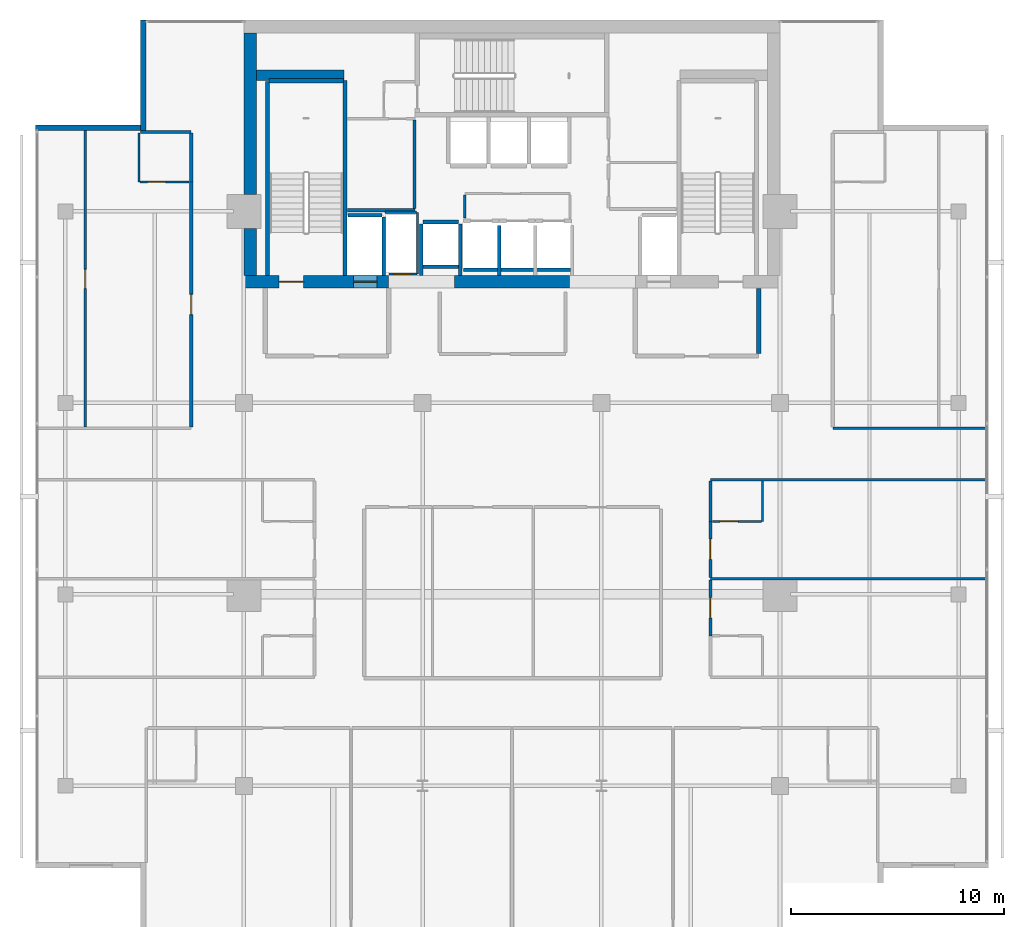
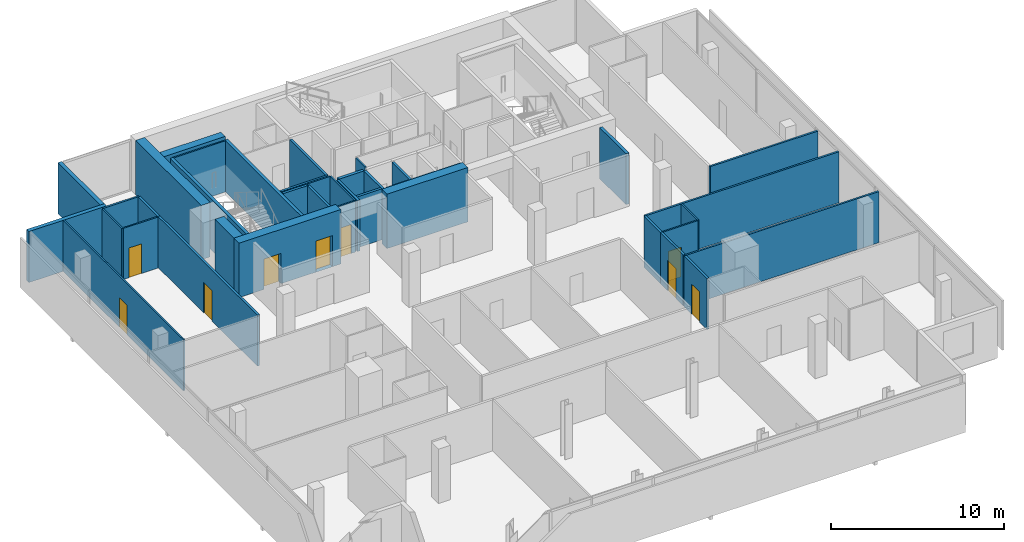
# One storey, part 21 of 25: 39 walls, 9 doors, 9 openings.
"""IFC4 building model written with IfcOpenShell, lengths in metres."""

from ifc_helpers import new_model, si_unit, direction, frame, frame_2d, origin, place, context, subcontext, project, spatial, rectangle, extrude, material, layer, layer_set, type_object, element, fill, save


model = new_model("IFC4")

# Units and contexts
model_context = context("Model", 3, precision=1e-05, world=origin(), true_north=direction((0.0, 1.0)))
body_context = subcontext(model_context, "Body", "Model", "MODEL_VIEW")
ifc_project = project(units=[si_unit("LENGTHUNIT", "METRE"), si_unit("AREAUNIT", "SQUARE_METRE"), si_unit("VOLUMEUNIT", "CUBIC_METRE"), si_unit("PLANEANGLEUNIT", "RADIAN"), si_unit("MASSUNIT", "GRAM", prefix="KILO")], contexts=[model_context])

# Site, building, storey
site_placement = place(None, origin())
site = spatial("IfcSite", under=ifc_project, at=site_placement, CompositionType="ELEMENT")
building_placement = place(site_placement, origin())
building = spatial("IfcBuilding", under=site, at=building_placement, Name="Maruvema Waterfront Hotel and Observation Tower", CompositionType="ELEMENT")
storey_placement = place(building_placement, frame((0.0, 0.0, 281.75)))
storey = spatial("IfcBuildingStorey", under=building, at=storey_placement, Name="L69", CompositionType="ELEMENT", Elevation=281.75)

# Walls
ifc_material_1 = material(Name="Twin-stud acoustic gypsum drywall", Category="gypsum")
ifc_layer_1 = layer(ifc_material_1, 0.14990234375, Name="Acoustic Corridor and Suite Demising Wall 150 mm")
ifc_layer_set_1 = layer_set([ifc_layer_1], Name="Twin-stud acoustic gypsum drywall")
wall_type_1 = type_object("IfcWallType", Name="Acoustic Corridor and Suite Demising Wall 150 mm", PredefinedType="PARTITIONING", material=ifc_layer_set_1)
wall_1_placement = place(storey_placement, frame((30.06005859375, 45.06005859375, 0.0), z_axis=(0.0, 0.0, 1.0), x_axis=(1.0, 0.0, 0.0)))
element("IfcWall", 1, at=wall_1_placement, inside=storey, type_object=wall_type_1, Name="L69 Freed B1 South Wall 013", PredefinedType="PARTITIONING", context=body_context, shape_type="SweptSolid", body=[
    extrude(rectangle(XDim=3.179931640625, YDim=0.14990234375, at=frame_2d((1.58984375, 0.0))), origin(), (0.0, 0.0, 1.0), 3.610107421875),
])
wall_2_placement = place(storey_placement, frame((33.219970703125, 45.139892578125, 0.0), z_axis=(0.0, 0.0, 1.0), x_axis=(0.0, 1.0, 0.0)))
element("IfcWall", 2, at=wall_2_placement, inside=storey, type_object=wall_type_1, Name="L69 Freed B1 East Wall 014", PredefinedType="PARTITIONING", context=body_context, shape_type="SweptSolid", body=[
    extrude(rectangle(XDim=4.16015625, YDim=0.14990234375, at=frame_2d((2.080078125, 0.0))), origin(), (0.0, 0.0, 1.0), 3.610107421875),
])

# Wall, opening, door
wall_3_placement = place(storey_placement, frame((47.1298828125, 25.050048828125, 0.0), z_axis=(0.0, 0.0, 1.0), x_axis=(0.0, 1.0, 0.0)))
wall_3 = element("IfcWall", 3, at=wall_3_placement, inside=storey, type_object=wall_type_1, Name="L69 Room L69-E1 Corridor Wall 057", PredefinedType="PARTITIONING", context=body_context, shape_type="SweptSolid", body=[
    extrude(rectangle(XDim=2.6298828125, YDim=0.14990234375, at=frame_2d((1.31494140625, 0.0))), origin(), (0.0, 0.0, 1.0), 3.610107421875),
])
opening_1_placement = place(wall_3_placement, frame((0.840087890625, 0.0, 0.0)))
opening_1 = element("IfcOpeningElement", 4, at=opening_1_placement, cuts=wall_3, Name="Opening DR-095", PredefinedType="OPENING", context=body_context, shape_type="SweptSolid", body=[
    extrude(rectangle(XDim=0.949951171875, YDim=2.14990234375, at=frame_2d((0.47509765625, 1.074951171875))), frame((0.0, 0.0849609375, 0.0), z_axis=(0.0, -1.0, 0.0), x_axis=(1.0, 0.0, 0.0)), (0.0, 0.0, 1.0), 0.169921875),
])
ifc_material_2 = material(Name="Acoustic solid-core hardwood timber leaf", Category="wood")
door_type_1 = type_object("IfcDoorType", Name="Guestroom Entrance Fire Door 950x2150 mm", OperationType="NOTDEFINED", PredefinedType="DOOR", material=ifc_material_2)
door_1_placement = place(opening_1_placement, frame((0.949951171875, 0.0, 0.0), z_axis=(0.0, 0.0, 1.0), x_axis=(-1.0, 0.0, 0.0)))
door_1 = element("IfcDoor", 5, at=door_1_placement, inside=storey, type_object=door_type_1, Name="L69 Room L69-E1 Entrance Door", OperationType="SINGLE_SWING_LEFT", OverallHeight=2.14990234375, OverallWidth=0.949951171875, PredefinedType="DOOR", context=body_context, shape_type="SweptSolid", body=[
    extrude(rectangle(XDim=0.949951171875, YDim=2.14990234375, at=frame_2d((0.47509765625, 1.074951171875))), frame((0.0, 0.02490234375, 0.0), z_axis=(0.0, -1.0, 0.0), x_axis=(1.0, 0.0, 0.0)), (0.0, 0.0, 1.0), 0.050048828125),
])
fill(opening_1, door_1)

wall_4_placement = place(storey_placement, frame((47.1298828125, 27.800048828125, 0.0), z_axis=(0.0, 0.0, 1.0), x_axis=(0.0, 1.0, 0.0)))
wall_4 = element("IfcWall", 6, at=wall_4_placement, inside=storey, type_object=wall_type_1, Name="L69 Room L69-E2 Corridor Wall 066", PredefinedType="PARTITIONING", context=body_context, shape_type="SweptSolid", body=[
    extrude(rectangle(XDim=2.6298828125, YDim=0.14990234375, at=frame_2d((1.31494140625, 0.0))), origin(), (0.0, 0.0, 1.0), 3.610107421875),
])
opening_2_placement = place(wall_4_placement, frame((0.840087890625, 0.0, 0.0)))
opening_2 = element("IfcOpeningElement", 7, at=opening_2_placement, cuts=wall_4, Name="Opening DR-095", PredefinedType="OPENING", context=body_context, shape_type="SweptSolid", body=[
    extrude(rectangle(XDim=0.949951171875, YDim=2.14990234375, at=frame_2d((0.47509765625, 1.074951171875))), frame((0.0, 0.0849609375, 0.0), z_axis=(0.0, -1.0, 0.0), x_axis=(1.0, 0.0, 0.0)), (0.0, 0.0, 1.0), 0.169921875),
])
door_2_placement = place(opening_2_placement, frame((0.949951171875, 0.0, 0.0), z_axis=(0.0, 0.0, 1.0), x_axis=(-1.0, 0.0, 0.0)))
door_2 = element("IfcDoor", 8, at=door_2_placement, inside=storey, type_object=door_type_1, Name="L69 Room L69-E2 Entrance Door", OperationType="SINGLE_SWING_LEFT", OverallHeight=2.14990234375, OverallWidth=0.949951171875, PredefinedType="DOOR", context=body_context, shape_type="SweptSolid", body=[
    extrude(rectangle(XDim=0.949951171875, YDim=2.14990234375, at=frame_2d((0.47509765625, 1.074951171875))), frame((0.0, 0.02490234375, 0.0), z_axis=(0.0, -1.0, 0.0), x_axis=(1.0, 0.0, 0.0)), (0.0, 0.0, 1.0), 0.050048828125),
])
fill(opening_2, door_2)

# Wall
wall_5_placement = place(storey_placement, frame((47.1298828125, 30.429931640625, 0.0), z_axis=(0.0, 0.0, 1.0), x_axis=(0.0, 1.0, 0.0)))
element("IfcWall", 9, at=wall_5_placement, inside=storey, type_object=wall_type_1, Name="L69 Bath L69-E2 Wall 067", PredefinedType="PARTITIONING", context=body_context, shape_type="SweptSolid", body=[
    extrude(rectangle(XDim=1.89013671875, YDim=0.14990234375, at=frame_2d((0.945068359375, 0.0))), origin(), (0.0, 0.0, 1.0), 3.610107421875),
])

# Wall, opening, door
wall_6_placement = place(storey_placement, frame((22.719970703125, 34.860107421875, 0.0), z_axis=(0.0, 0.0, 1.0), x_axis=(0.0, 1.0, 0.0)))
wall_6 = element("IfcWall", 10, at=wall_6_placement, inside=storey, type_object=wall_type_1, Name="L69 Room L69-NW1 Corridor Wall 074", PredefinedType="PARTITIONING", context=body_context, shape_type="SweptSolid", body=[
    extrude(rectangle(XDim=11.52734375, YDim=0.14990234375, at=frame_2d((5.763671875, 0.0))), origin(), (0.0, 0.0, 1.0), 3.610107421875),
])
opening_3_placement = place(wall_6_placement, frame((5.288818359375, 0.0, 0.0)))
opening_3 = element("IfcOpeningElement", 11, at=opening_3_placement, cuts=wall_6, Name="Opening DR-095", PredefinedType="OPENING", context=body_context, shape_type="SweptSolid", body=[
    extrude(rectangle(XDim=0.949951171875, YDim=2.14990234375, at=frame_2d((0.47509765625, 1.074951171875))), frame((0.0, 0.0849609375, 0.0), z_axis=(0.0, -1.0, 0.0), x_axis=(1.0, 0.0, 0.0)), (0.0, 0.0, 1.0), 0.169921875),
])
door_3_placement = place(opening_3_placement, origin())
door_3 = element("IfcDoor", 12, at=door_3_placement, inside=storey, type_object=door_type_1, Name="L69 Room L69-NW1 Entrance Door", OperationType="SINGLE_SWING_LEFT", OverallHeight=2.14990234375, OverallWidth=0.949951171875, PredefinedType="DOOR", context=body_context, shape_type="SweptSolid", body=[
    extrude(rectangle(XDim=0.949951171875, YDim=2.14990234375, at=frame_2d((0.47509765625, 1.074951171875))), frame((0.0, 0.02490234375, 0.0), z_axis=(0.0, -1.0, 0.0), x_axis=(1.0, 0.0, 0.0)), (0.0, 0.0, 1.0), 0.050048828125),
])
fill(opening_3, door_3)

# Walls
wall_7_placement = place(storey_placement, frame((22.719970703125, 46.387451171875, 0.0), z_axis=(0.0, 0.0, 1.0), x_axis=(0.0, 1.0, 0.0)))
element("IfcWall", 13, at=wall_7_placement, inside=storey, type_object=wall_type_1, Name="L69 Bath L69-NW1 Wall 075", PredefinedType="PARTITIONING", context=body_context, shape_type="SweptSolid", body=[
    extrude(rectangle(XDim=2.2900390625, YDim=0.14990234375, at=frame_2d((1.14501953125, 0.0))), origin(), (0.0, 0.0, 1.0), 3.610107421875),
])
ifc_material_3 = material(Name="Precast concrete C45/55", Category="concrete")
ifc_layer_2 = layer(ifc_material_3, 0.199951171875, Name="Core Shaft and Stairwell Enclosure Wall 200 mm")
ifc_layer_set_2 = layer_set([ifc_layer_2], Name="Precast concrete C45/55")
wall_type_2 = type_object("IfcWallType", Name="Core Shaft and Stairwell Enclosure Wall 200 mm", PredefinedType="SOLIDWALL", material=ifc_layer_set_2)
wall_8_placement = place(storey_placement, frame((29.949951171875, 42.0, 0.0), z_axis=(0.0, 0.0, 1.0), x_axis=(0.0, 1.0, 0.0)))
element("IfcWall", 14, at=wall_8_placement, inside=storey, type_object=wall_type_2, Name="L69 Stairwell ST-01 East Shaft Wall", PredefinedType="SOLIDWALL", context=body_context, shape_type="SweptSolid", body=[
    extrude(rectangle(XDim=9.14990234375, YDim=0.199951171875, at=frame_2d((4.574951171875, 0.0))), origin(), (0.0, 0.0, 1.0), 3.610107421875),
])
wall_9_placement = place(storey_placement, frame((26.300048828125, 42.0, 0.0), z_axis=(0.0, 0.0, 1.0), x_axis=(0.0, 1.0, 0.0)))
element("IfcWall", 15, at=wall_9_placement, inside=storey, type_object=wall_type_2, Name="L69 Stairwell ST-01 Shaft Lining Wall", PredefinedType="SOLIDWALL", context=body_context, shape_type="SweptSolid", body=[
    extrude(rectangle(XDim=9.1201171875, YDim=0.199951171875, at=frame_2d((4.56005859375, 0.0))), origin(), (0.0, 0.0, 1.0), 3.610107421875),
])
wall_10_placement = place(storey_placement, frame((26.3798828125, 51.14990234375, 0.0), z_axis=(0.0, 0.0, 1.0), x_axis=(1.0, 0.0, 0.0)))
element("IfcWall", 16, at=wall_10_placement, inside=storey, type_object=wall_type_2, Name="L69 Stairwell ST-01 Shaft Lining Wall", PredefinedType="SOLIDWALL", context=body_context, shape_type="SweptSolid", body=[
    extrude(rectangle(XDim=3.5, YDim=0.199951171875, at=frame_2d((1.75, 0.0))), origin(), (0.0, 0.0, 1.0), 3.610107421875),
])
wall_11_placement = place(storey_placement, frame((33.610107421875, 44.5, 0.0), z_axis=(0.0, 0.0, 1.0), x_axis=(1.0, 0.0, 0.0)))
element("IfcWall", 17, at=wall_11_placement, inside=storey, type_object=wall_type_2, Name="L69 Lift LF-15 Hoistway Front Wall", PredefinedType="SOLIDWALL", context=body_context, shape_type="SweptSolid", body=[
    extrude(rectangle(XDim=1.679931640625, YDim=0.199951171875, at=frame_2d((0.83984375, 0.0))), origin(), (0.0, 0.0, 1.0), 3.610107421875),
])
ifc_material_4 = material(Name="Concrete C70/85", Category="concrete")
ifc_layer_3 = layer(ifc_material_4, 0.5, Name="Core Shear Wall 500 mm")
ifc_layer_set_3 = layer_set([ifc_layer_3], Name="Concrete C70/85")
wall_type_3 = type_object("IfcWallType", Name="Core Shear Wall 500 mm", PredefinedType="SHEAR", material=ifc_layer_set_3)
wall_12_placement = place(storey_placement, frame((25.800048828125, 51.39990234375, 0.0), z_axis=(0.0, 0.0, 1.0), x_axis=(1.0, 0.0, 0.0)))
element("IfcWall", 18, at=wall_12_placement, inside=storey, type_object=wall_type_3, Name="L69 Internal Core Shear Wall NW 500 mm", PredefinedType="SHEAR", context=body_context, shape_type="SweptSolid", body=[
    extrude(rectangle(XDim=4.099853515625, YDim=0.5, at=frame_2d((2.0498046875, 0.0))), origin(), (0.0, 0.0, 1.0), 3.85009765625),
])

# Wall, openings, doors
ifc_material_5 = material(Name="Concrete C60/75", Category="concrete")
ifc_layer_4 = layer(ifc_material_5, 0.60009765625, Name="Core Shear Wall 600 mm")
ifc_layer_set_4 = layer_set([ifc_layer_4], Name="Concrete C60/75")
wall_type_4 = type_object("IfcWallType", Name="Core Shear Wall 600 mm", PredefinedType="SHEAR", material=ifc_layer_set_4)
wall_13_placement = place(storey_placement, frame((25.199951171875, 41.699951171875, 0.0), z_axis=(0.0, 0.0, 1.0), x_axis=(1.0, 0.0, 0.0)))
wall_13 = element("IfcWall", 19, at=wall_13_placement, inside=storey, type_object=wall_type_4, Name="L69 South-West Core Shear Wall", PredefinedType="SHEAR", context=body_context, shape_type="SweptSolid", body=[
    extrude(rectangle(XDim=6.800048828125, YDim=0.60009765625, at=frame_2d((3.39990234375, 0.0))), origin(), (0.0, 0.0, 1.0), 3.85009765625),
])
opening_4_placement = place(wall_13_placement, frame((1.64990234375, 0.0, 0.0)))
opening_4 = element("IfcOpeningElement", 20, at=opening_4_placement, cuts=wall_13, Name="Opening SD-01", PredefinedType="OPENING", context=body_context, shape_type="SweptSolid", body=[
    extrude(rectangle(XDim=1.14990234375, YDim=2.14990234375, at=frame_2d((0.574951171875, 1.074951171875))), frame((0.0, 0.31005859375, 0.0), z_axis=(0.0, -1.0, 0.0), x_axis=(1.0, 0.0, 0.0)), (0.0, 0.0, 1.0), 0.6201171875),
])
opening_5_placement = place(wall_13_placement, frame((5.14990234375, 0.0, 0.0)))
opening_5 = element("IfcOpeningElement", 21, at=opening_5_placement, cuts=wall_13, Name="Opening LD-03", PredefinedType="OPENING", context=body_context, shape_type="SweptSolid", body=[
    extrude(rectangle(XDim=1.10009765625, YDim=2.199951171875, at=frame_2d((0.550048828125, 1.10009765625))), frame((0.0, 0.31005859375, 0.0), z_axis=(0.0, -1.0, 0.0), x_axis=(1.0, 0.0, 0.0)), (0.0, 0.0, 1.0), 0.6201171875),
])
ifc_material_6 = material(Name="Fire-rated galvanised steel leaf", Category="steel")
door_type_2 = type_object("IfcDoorType", Name="Exit Stair Fire Door 1150x2150 mm", OperationType="NOTDEFINED", PredefinedType="DOOR", material=ifc_material_6)
door_4_placement = place(opening_4_placement, origin())
door_4 = element("IfcDoor", 22, at=door_4_placement, inside=storey, type_object=door_type_2, Name="L69 Exit Stair ST-01 Fire Door", OperationType="SINGLE_SWING_LEFT", OverallHeight=2.14990234375, OverallWidth=1.14990234375, PredefinedType="DOOR", context=body_context, shape_type="SweptSolid", body=[
    extrude(rectangle(XDim=1.14990234375, YDim=2.14990234375, at=frame_2d((0.574951171875, 1.074951171875))), frame((0.0, 0.02490234375, 0.0), z_axis=(0.0, -1.0, 0.0), x_axis=(1.0, 0.0, 0.0)), (0.0, 0.0, 1.0), 0.050048828125),
])
fill(opening_4, door_4)
ifc_material_7 = material(Name="Brushed stainless steel Grade 316", Category="steel")
door_type_3 = type_object("IfcDoorType", Name="Firefighting Lift Sliding Landing Door 1100x2200 mm", OperationType="SLIDING_TO_LEFT", PredefinedType="DOOR", material=ifc_material_7)
door_5_placement = place(opening_5_placement, frame((1.10009765625, 0.0, 0.0), z_axis=(0.0, 0.0, 1.0), x_axis=(-1.0, 0.0, 0.0)))
door_5 = element("IfcDoor", 23, at=door_5_placement, inside=storey, type_object=door_type_3, Name="L69 Firefighting Lift FL-01 Landing Door", OperationType="SLIDING_TO_LEFT", OverallHeight=2.199951171875, OverallWidth=1.10009765625, PredefinedType="DOOR", context=body_context, shape_type="SweptSolid", body=[
    extrude(rectangle(XDim=1.10009765625, YDim=2.199951171875, at=frame_2d((0.550048828125, 1.10009765625))), frame((0.0, 0.02490234375, 0.0), z_axis=(0.0, -1.0, 0.0), x_axis=(1.0, 0.0, 0.0)), (0.0, 0.0, 1.0), 0.050048828125),
])
fill(opening_5, door_5)

# Walls
wall_14_placement = place(storey_placement, frame((35.10009765625, 41.699951171875, 0.0), z_axis=(0.0, 0.0, 1.0), x_axis=(1.0, 0.0, 0.0)))
element("IfcWall", 24, at=wall_14_placement, inside=storey, type_object=wall_type_4, Name="L69 South-Central Core Shear Wall", PredefinedType="SHEAR", context=body_context, shape_type="SweptSolid", body=[
    extrude(rectangle(XDim=5.39990234375, YDim=0.60009765625, at=frame_2d((2.699951171875, 0.0))), origin(), (0.0, 0.0, 1.0), 3.85009765625),
])
wall_15_placement = place(storey_placement, frame((25.5, 42.0, 0.0), z_axis=(0.0, 0.0, 1.0), x_axis=(0.0, 1.0, 0.0)))
element("IfcWall", 25, at=wall_15_placement, inside=storey, type_object=wall_type_4, Name="L69 West-South Core Shear Wall", PredefinedType="SHEAR", context=body_context, shape_type="SweptSolid", body=[
    extrude(rectangle(XDim=2.199951171875, YDim=0.60009765625, at=frame_2d((1.10009765625, 0.0))), origin(), (0.0, 0.0, 1.0), 3.85009765625),
])
wall_16_placement = place(storey_placement, frame((25.5, 45.800048828125, 0.0), z_axis=(0.0, 0.0, 1.0), x_axis=(0.0, 1.0, 0.0)))
element("IfcWall", 26, at=wall_16_placement, inside=storey, type_object=wall_type_4, Name="L69 West-North Core Shear Wall", PredefinedType="SHEAR", context=body_context, shape_type="SweptSolid", body=[
    extrude(rectangle(XDim=7.599853515625, YDim=0.60009765625, at=frame_2d((3.7998046875, 0.0))), origin(), (0.0, 0.0, 1.0), 3.85009765625),
])

# Wall, opening, door
ifc_material_8 = material(Name="Moisture-resistant cement-board drywall", Category="gypsum")
ifc_layer_5 = layer(ifc_material_8, 0.10009765625, Name="En-Suite Moisture-Resistant Partition 100 mm")
ifc_layer_set_5 = layer_set([ifc_layer_5], Name="Moisture-resistant cement-board drywall")
wall_type_5 = type_object("IfcWallType", Name="En-Suite Moisture-Resistant Partition 100 mm", PredefinedType="PARTITIONING", material=ifc_layer_set_5)
wall_17_placement = place(storey_placement, frame((32.02001953125, 42.06005859375, 0.0), z_axis=(0.0, 0.0, 1.0), x_axis=(1.0, 0.0, 0.0)))
wall_17 = element("IfcWall", 27, at=wall_17_placement, inside=storey, type_object=wall_type_5, Name="L69 Telecom Riser South Wall 007", PredefinedType="PARTITIONING", context=body_context, shape_type="SweptSolid", body=[
    extrude(rectangle(XDim=1.320068359375, YDim=0.10009765625, at=frame_2d((0.66015625, 0.0))), origin(), (0.0, 0.0, 1.0), 3.610107421875),
])
opening_6_placement = place(wall_17_placement, frame((0.239990234375, 0.0, 0.0)))
opening_6 = element("IfcOpeningElement", 28, at=opening_6_placement, cuts=wall_17, Name="Opening DR-080", PredefinedType="OPENING", context=body_context, shape_type="SweptSolid", body=[
    extrude(rectangle(XDim=0.800048828125, YDim=2.050048828125, at=frame_2d((0.39990234375, 1.02490234375))), frame((0.0, 0.06005859375, 0.0), z_axis=(0.0, -1.0, 0.0), x_axis=(1.0, 0.0, 0.0)), (0.0, 0.0, 1.0), 0.1201171875),
])
ifc_material_9 = material(Name="Powder-coated steel access leaf", Category="steel")
door_type_4 = type_object("IfcDoorType", Name="Riser and Service Cupboard Door 800x2050 mm", OperationType="NOTDEFINED", PredefinedType="DOOR", material=ifc_material_9)
door_6_placement = place(opening_6_placement, frame((0.800048828125, 0.0, 0.0), z_axis=(0.0, 0.0, 1.0), x_axis=(-1.0, 0.0, 0.0)))
door_6 = element("IfcDoor", 29, at=door_6_placement, inside=storey, type_object=door_type_4, Name="L69 Telecom Riser Door", OperationType="SINGLE_SWING_RIGHT", OverallHeight=2.050048828125, OverallWidth=0.800048828125, PredefinedType="DOOR", context=body_context, shape_type="SweptSolid", body=[
    extrude(rectangle(XDim=0.800048828125, YDim=2.050048828125, at=frame_2d((0.39990234375, 1.02490234375))), frame((0.0, 0.02490234375, 0.0), z_axis=(0.0, -1.0, 0.0), x_axis=(1.0, 0.0, 0.0)), (0.0, 0.0, 1.0), 0.050048828125),
])
fill(opening_6, door_6)

# Walls
wall_18_placement = place(storey_placement, frame((31.840087890625, 44.9599609375, 0.0), z_axis=(0.0, 0.0, 1.0), x_axis=(1.0, 0.0, 0.0)))
element("IfcWall", 30, at=wall_18_placement, inside=storey, type_object=wall_type_5, Name="L69 Telecom Riser North Wall 008", PredefinedType="PARTITIONING", context=body_context, shape_type="SweptSolid", body=[
    extrude(rectangle(XDim=1.47998046875, YDim=0.10009765625, at=frame_2d((0.739990234375, 0.0))), origin(), (0.0, 0.0, 1.0), 3.610107421875),
])
wall_19_placement = place(storey_placement, frame((33.360107421875, 42.06005859375, 0.0), z_axis=(0.0, 0.0, 1.0), x_axis=(0.0, 1.0, 0.0)))
element("IfcWall", 31, at=wall_19_placement, inside=storey, type_object=wall_type_5, Name="L69 Telecom Riser East Wall 009", PredefinedType="PARTITIONING", context=body_context, shape_type="SweptSolid", body=[
    extrude(rectangle(XDim=2.8798828125, YDim=0.10009765625, at=frame_2d((1.43994140625, 0.0))), origin(), (0.0, 0.0, 1.0), 3.610107421875),
])
wall_20_placement = place(storey_placement, frame((35.580078125, 44.699951171875, 0.0), z_axis=(0.0, 0.0, 1.0), x_axis=(0.0, 1.0, 0.0)))
element("IfcWall", 32, at=wall_20_placement, inside=storey, type_object=wall_type_5, Name="L69 Core Closet K0 West 011", PredefinedType="PARTITIONING", context=body_context, shape_type="SweptSolid", body=[
    extrude(rectangle(XDim=1.080078125, YDim=0.10009765625, at=frame_2d((0.5400390625, 0.0))), origin(), (0.0, 0.0, 1.0), 3.610107421875),
])
wall_21_placement = place(storey_placement, frame((49.580078125, 30.429931640625, 0.0), z_axis=(0.0, 0.0, 1.0), x_axis=(0.0, 1.0, 0.0)))
element("IfcWall", 33, at=wall_21_placement, inside=storey, type_object=wall_type_5, Name="L69 En-Suite L69-E2 E 068", PredefinedType="PARTITIONING", context=body_context, shape_type="SweptSolid", body=[
    extrude(rectangle(XDim=1.89013671875, YDim=0.10009765625, at=frame_2d((0.945068359375, 0.0))), origin(), (0.0, 0.0, 1.0), 3.610107421875),
])

# Wall, opening, door
wall_22_placement = place(storey_placement, frame((47.22998046875, 30.429931640625, 0.0), z_axis=(0.0, 0.0, 1.0), x_axis=(1.0, 0.0, 0.0)))
wall_22 = element("IfcWall", 34, at=wall_22_placement, inside=storey, type_object=wall_type_5, Name="L69 En-Suite L69-E2 S 069", PredefinedType="PARTITIONING", context=body_context, shape_type="SweptSolid", body=[
    extrude(rectangle(XDim=2.300048828125, YDim=0.10009765625, at=frame_2d((1.14990234375, 0.0))), origin(), (0.0, 0.0, 1.0), 3.610107421875),
])
opening_7_placement = place(wall_22_placement, frame((0.35009765625, 0.0, 0.0)))
opening_7 = element("IfcOpeningElement", 35, at=opening_7_placement, cuts=wall_22, Name="Opening DR-085", PredefinedType="OPENING", context=body_context, shape_type="SweptSolid", body=[
    extrude(rectangle(XDim=0.85009765625, YDim=2.10009765625, at=frame_2d((0.425048828125, 1.050048828125))), frame((0.0, 0.06005859375, 0.0), z_axis=(0.0, -1.0, 0.0), x_axis=(1.0, 0.0, 0.0)), (0.0, 0.0, 1.0), 0.1201171875),
])
ifc_material_10 = material(Name="Moisture-resistant solid timber leaf", Category="wood")
door_type_5 = type_object("IfcDoorType", Name="En-Suite Bathroom Door 850x2100 mm", OperationType="NOTDEFINED", PredefinedType="DOOR", material=ifc_material_10)
door_7_placement = place(opening_7_placement, frame((0.85009765625, 0.0, 0.0), z_axis=(0.0, 0.0, 1.0), x_axis=(-1.0, 0.0, 0.0)))
door_7 = element("IfcDoor", 36, at=door_7_placement, inside=storey, type_object=door_type_5, Name="L69 En-Suite L69-E2 Door", OperationType="SINGLE_SWING_RIGHT", OverallHeight=2.10009765625, OverallWidth=0.85009765625, PredefinedType="DOOR", context=body_context, shape_type="SweptSolid", body=[
    extrude(rectangle(XDim=0.85009765625, YDim=2.10009765625, at=frame_2d((0.425048828125, 1.050048828125))), frame((0.0, 0.02490234375, 0.0), z_axis=(0.0, -1.0, 0.0), x_axis=(1.0, 0.0, 0.0)), (0.0, 0.0, 1.0), 0.050048828125),
])
fill(opening_7, door_7)

# Wall
wall_23_placement = place(storey_placement, frame((20.27001953125, 46.387451171875, 0.0), z_axis=(0.0, 0.0, 1.0), x_axis=(0.0, 1.0, 0.0)))
element("IfcWall", 37, at=wall_23_placement, inside=storey, type_object=wall_type_5, Name="L69 En-Suite L69-NW1 W 076", PredefinedType="PARTITIONING", context=body_context, shape_type="SweptSolid", body=[
    extrude(rectangle(XDim=2.2900390625, YDim=0.10009765625, at=frame_2d((1.14501953125, 0.0))), origin(), (0.0, 0.0, 1.0), 3.610107421875),
])

# Wall, opening, door
wall_24_placement = place(storey_placement, frame((20.320068359375, 46.387451171875, 0.0), z_axis=(0.0, 0.0, 1.0), x_axis=(1.0, 0.0, 0.0)))
wall_24 = element("IfcWall", 38, at=wall_24_placement, inside=storey, type_object=wall_type_5, Name="L69 En-Suite L69-NW1 S 077", PredefinedType="PARTITIONING", context=body_context, shape_type="SweptSolid", body=[
    extrude(rectangle(XDim=2.300048828125, YDim=0.10009765625, at=frame_2d((1.14990234375, 0.0))), origin(), (0.0, 0.0, 1.0), 3.610107421875),
])
opening_8_placement = place(wall_24_placement, frame((0.35009765625, 0.0, 0.0)))
opening_8 = element("IfcOpeningElement", 39, at=opening_8_placement, cuts=wall_24, Name="Opening DR-085", PredefinedType="OPENING", context=body_context, shape_type="SweptSolid", body=[
    extrude(rectangle(XDim=0.85009765625, YDim=2.10009765625, at=frame_2d((0.425048828125, 1.050048828125))), frame((0.0, 0.06005859375, 0.0), z_axis=(0.0, -1.0, 0.0), x_axis=(1.0, 0.0, 0.0)), (0.0, 0.0, 1.0), 0.1201171875),
])
door_8_placement = place(opening_8_placement, frame((0.85009765625, 0.0, 0.0), z_axis=(0.0, 0.0, 1.0), x_axis=(-1.0, 0.0, 0.0)))
door_8 = element("IfcDoor", 40, at=door_8_placement, inside=storey, type_object=door_type_5, Name="L69 En-Suite L69-NW1 Door", OperationType="SINGLE_SWING_RIGHT", OverallHeight=2.10009765625, OverallWidth=0.85009765625, PredefinedType="DOOR", context=body_context, shape_type="SweptSolid", body=[
    extrude(rectangle(XDim=0.85009765625, YDim=2.10009765625, at=frame_2d((0.425048828125, 1.050048828125))), frame((0.0, 0.02490234375, 0.0), z_axis=(0.0, -1.0, 0.0), x_axis=(1.0, 0.0, 0.0)), (0.0, 0.0, 1.0), 0.050048828125),
])
fill(opening_8, door_8)

wall_25_placement = place(storey_placement, frame((17.737548828125, 34.860107421875, 0.0), z_axis=(0.0, 0.0, 1.0), x_axis=(0.0, 1.0, 0.0)))
wall_25 = element("IfcWall", 41, at=wall_25_placement, inside=storey, type_object=wall_type_5, Name="L69 Suite L69-NW1 Split 078", PredefinedType="PARTITIONING", context=body_context, shape_type="SweptSolid", body=[
    extrude(rectangle(XDim=13.9375, YDim=0.10009765625, at=frame_2d((6.96875, 0.0))), origin(), (0.0, 0.0, 1.0), 3.610107421875),
])
opening_9_placement = place(wall_25_placement, frame((6.518798828125, 0.0, 0.0)))
opening_9 = element("IfcOpeningElement", 42, at=opening_9_placement, cuts=wall_25, Name="Opening DR-090", PredefinedType="OPENING", context=body_context, shape_type="SweptSolid", body=[
    extrude(rectangle(XDim=0.89990234375, YDim=2.10009765625, at=frame_2d((0.449951171875, 1.050048828125))), frame((0.0, 0.06005859375, 0.0), z_axis=(0.0, -1.0, 0.0), x_axis=(1.0, 0.0, 0.0)), (0.0, 0.0, 1.0), 0.1201171875),
])
ifc_material_11 = material(Name="Solid-core lacquered timber leaf", Category="wood")
door_type_6 = type_object("IfcDoorType", Name="Accessible Toilet and Room Door 900x2100 mm", OperationType="NOTDEFINED", PredefinedType="DOOR", material=ifc_material_11)
door_9_placement = place(opening_9_placement, origin())
door_9 = element("IfcDoor", 43, at=door_9_placement, inside=storey, type_object=door_type_6, Name="L69 Suite L69-NW1 Bedroom Door", OperationType="SINGLE_SWING_RIGHT", OverallHeight=2.10009765625, OverallWidth=0.89990234375, PredefinedType="DOOR", context=body_context, shape_type="SweptSolid", body=[
    extrude(rectangle(XDim=0.89990234375, YDim=2.10009765625, at=frame_2d((0.449951171875, 1.050048828125))), frame((0.0, 0.02490234375, 0.0), z_axis=(0.0, -1.0, 0.0), x_axis=(1.0, 0.0, 0.0)), (0.0, 0.0, 1.0), 0.050048828125),
])
fill(opening_9, door_9)

# Walls
ifc_material_12 = material(Name="Precast concrete C45/55 with honed Pernambuco granite facing", Category="masonry")
ifc_layer_6 = layer(ifc_material_12, 0.260009765625, Name="Exterior Granite Clad Spandrel and Pier Wall 260 mm")
ifc_layer_set_6 = layer_set([ifc_layer_6], Name="Precast concrete C45/55 with honed Pernambuco granite facing")
wall_type_6 = type_object("IfcWallType", Name="Exterior Granite Clad Spandrel and Pier Wall 260 mm", PredefinedType="SOLIDWALL", material=ifc_layer_set_6)
wall_26_placement = place(storey_placement, frame((20.469970703125, 48.800048828125, 0.0), z_axis=(0.0, 0.0, 1.0), x_axis=(0.0, 1.0, 0.0)))
element("IfcWall", 44, at=wall_26_placement, inside=storey, type_object=wall_type_6, Name="L69 Corner Notch Granite Pier Wall NW1", PredefinedType="SOLIDWALL", context=body_context, shape_type="SweptSolid", body=[
    extrude(rectangle(XDim=5.199951171875, YDim=0.260009765625, at=frame_2d((2.60009765625, 0.0))), origin(), (0.0, 0.0, 1.0), 3.610107421875),
])
wall_27_placement = place(storey_placement, frame((15.39990234375, 48.929931640625, 0.0), z_axis=(0.0, 0.0, 1.0), x_axis=(1.0, 0.0, 0.0)))
element("IfcWall", 45, at=wall_27_placement, inside=storey, type_object=wall_type_6, Name="L69 Corner Notch Granite Pier Wall NW2", PredefinedType="SOLIDWALL", context=body_context, shape_type="SweptSolid", body=[
    extrude(rectangle(XDim=5.2001953125, YDim=0.260009765625, at=frame_2d((2.60009765625, 0.0))), origin(), (0.0, 0.0, 1.0), 3.610107421875),
])
ifc_material_13 = material(Name="Autoclaved cellular concrete blockwork", Category="masonry")
ifc_layer_7 = layer(ifc_material_13, 0.199951171875, Name="Fire Compartment Masonry Wall 200 mm")
ifc_layer_set_7 = layer_set([ifc_layer_7], Name="Autoclaved cellular concrete blockwork")
wall_type_7 = type_object("IfcWallType", Name="Fire Compartment Masonry Wall 200 mm", PredefinedType="PARTITIONING", material=ifc_layer_set_7)
wall_28_placement = place(storey_placement, frame((49.39990234375, 38.31005859375, 0.0), z_axis=(0.0, 0.0, 1.0), x_axis=(0.0, 1.0, 0.0)))
element("IfcWall", 46, at=wall_28_placement, inside=storey, type_object=wall_type_7, Name="L69 FFL East East Wall 006", PredefinedType="PARTITIONING", context=body_context, shape_type="SweptSolid", body=[
    extrude(rectangle(XDim=3.06982421875, YDim=0.199951171875, at=frame_2d((1.534912109375, 0.0))), origin(), (0.0, 0.0, 1.0), 3.610107421875),
])
ifc_material_14 = material(Name="Acoustic gypsum plasterboard drywall", Category="gypsum")
ifc_layer_8 = layer(ifc_material_14, 0.125, Name="Guestroom Acoustic Demising Wall 125 mm")
ifc_layer_set_8 = layer_set([ifc_layer_8], Name="Acoustic gypsum plasterboard drywall")
wall_type_8 = type_object("IfcWallType", Name="Guestroom Acoustic Demising Wall 125 mm", PredefinedType="PARTITIONING", material=ifc_layer_set_8)
for number, where, z_axis, x_axis, name in (
    (47, (47.1298828125, 32.3798828125, 0.0), (0.0, 0.0, 1.0), (1.0, 0.0, 0.0), "L69 Z3 E Top End 051"),
    (48, (47.1298828125, 27.739990234375, 0.0), (0.0, 0.0, 1.0), (1.0, 0.0, 0.0), "L69 Z3 E Demising 2 061"),
):
    element("IfcWall", number, at=place(storey_placement, frame(where, z_axis=z_axis, x_axis=x_axis)), inside=storey, type_object=wall_type_8, Name=name, PredefinedType="PARTITIONING", context=body_context, shape_type="SweptSolid", body=[
        extrude(rectangle(XDim=12.97021484375, YDim=0.125, at=frame_2d((6.485107421875, 0.0))), origin(), (0.0, 0.0, 1.0), 3.610107421875),
    ])
wall_29_placement = place(storey_placement, frame((52.8798828125, 34.800048828125, 0.0), z_axis=(0.0, 0.0, 1.0), x_axis=(1.0, 0.0, 0.0)))
element("IfcWall", 49, at=wall_29_placement, inside=storey, type_object=wall_type_8, Name="L69 Z3 NE Bot End 071", PredefinedType="PARTITIONING", context=body_context, shape_type="SweptSolid", body=[
    extrude(rectangle(XDim=7.22021484375, YDim=0.125, at=frame_2d((3.610107421875, 0.0))), origin(), (0.0, 0.0, 1.0), 3.610107421875),
])
wall_30_placement = place(storey_placement, frame((20.340087890625, 48.737548828125, 0.0), z_axis=(0.0, 0.0, 1.0), x_axis=(1.0, 0.0, 0.0)))
element("IfcWall", 50, at=wall_30_placement, inside=storey, type_object=wall_type_8, Name="L69 Z3 NW Top End 072", PredefinedType="PARTITIONING", context=body_context, shape_type="SweptSolid", body=[
    extrude(rectangle(XDim=2.3798828125, YDim=0.125, at=frame_2d((1.18994140625, 0.0))), origin(), (0.0, 0.0, 1.0), 3.610107421875),
])
ifc_material_15 = material(Name="Precast concrete C45/55", Category="concrete")
ifc_layer_9 = layer(ifc_material_15, 0.159912109375, Name="Lift Hoistway Divider Wall 160 mm")
ifc_layer_set_9 = layer_set([ifc_layer_9], Name="Precast concrete C45/55")
wall_type_9 = type_object("IfcWallType", Name="Lift Hoistway Divider Wall 160 mm", PredefinedType="SOLIDWALL", material=ifc_layer_set_9)
wall_31_placement = place(storey_placement, frame((30.10009765625, 44.830078125, 0.0), z_axis=(0.0, 0.0, 1.0), x_axis=(1.0, 0.0, 0.0)))
element("IfcWall", 51, at=wall_31_placement, inside=storey, type_object=wall_type_9, Name="L69 Lift FL-01 Rear Hoistway Wall", PredefinedType="SOLIDWALL", context=body_context, shape_type="SweptSolid", body=[
    extrude(rectangle(XDim=1.599853515625, YDim=0.159912109375, at=frame_2d((0.7998046875, 0.0))), origin(), (0.0, 0.0, 1.0), 3.610107421875),
])
wall_32_placement = place(storey_placement, frame((31.780029296875, 42.0, 0.0), z_axis=(0.0, 0.0, 1.0), x_axis=(0.0, 1.0, 0.0)))
element("IfcWall", 52, at=wall_32_placement, inside=storey, type_object=wall_type_9, Name="L69 Lift FL-01 Inner Hoistway Wall", PredefinedType="SOLIDWALL", context=body_context, shape_type="SweptSolid", body=[
    extrude(rectangle(XDim=2.739990234375, YDim=0.159912109375, at=frame_2d((1.3701171875, 0.0))), origin(), (0.0, 0.0, 1.0), 3.610107421875),
])
wall_33_placement = place(storey_placement, frame((37.199951171875, 42.0, 0.0), z_axis=(0.0, 0.0, 1.0), x_axis=(0.0, 1.0, 0.0)))
element("IfcWall", 53, at=wall_33_placement, inside=storey, type_object=wall_type_9, Name="L69 Hoistway Divider Wall", PredefinedType="SOLIDWALL", context=body_context, shape_type="SweptSolid", body=[
    extrude(rectangle(XDim=2.35009765625, YDim=0.159912109375, at=frame_2d((1.175048828125, 0.0))), origin(), (0.0, 0.0, 1.0), 3.610107421875),
])
wall_34_placement = place(storey_placement, frame((35.52001953125, 42.260009765625, 0.0), z_axis=(0.0, 0.0, 1.0), x_axis=(1.0, 0.0, 0.0)))
element("IfcWall", 54, at=wall_34_placement, inside=storey, type_object=wall_type_9, Name="L69 Hoistway Divider Wall", PredefinedType="SOLIDWALL", context=body_context, shape_type="SweptSolid", body=[
    extrude(rectangle(XDim=5.02001953125, YDim=0.159912109375, at=frame_2d((2.510009765625, 0.0))), origin(), (0.0, 0.0, 1.0), 3.610107421875),
])
for number, where, z_axis, x_axis, name in (
    (55, (33.5400390625, 42.0, 0.0), (0.0, 0.0, 1.0), (0.0, 1.0, 0.0), "L69 Hoistway Divider Wall"),
    (56, (35.360107421875, 42.0, 0.0), (0.0, 0.0, 1.0), (0.0, 1.0, 0.0), "L69 Hoistway Divider Wall"),
):
    element("IfcWall", number, at=place(storey_placement, frame(where, z_axis=z_axis, x_axis=x_axis)), inside=storey, type_object=wall_type_9, Name=name, PredefinedType="SOLIDWALL", context=body_context, shape_type="SweptSolid", body=[
        extrude(rectangle(XDim=2.39990234375, YDim=0.159912109375, at=frame_2d((1.199951171875, 0.0))), origin(), (0.0, 0.0, 1.0), 3.610107421875),
    ])
wall_35_placement = place(storey_placement, frame((33.6201171875, 42.39990234375, 0.0), z_axis=(0.0, 0.0, 1.0), x_axis=(1.0, 0.0, 0.0)))
element("IfcWall", 57, at=wall_35_placement, inside=storey, type_object=wall_type_9, Name="L69 Hoistway Divider Wall", PredefinedType="SOLIDWALL", context=body_context, shape_type="SweptSolid", body=[
    extrude(rectangle(XDim=1.659912109375, YDim=0.159912109375, at=frame_2d((0.830078125, 0.0))), origin(), (0.0, 0.0, 1.0), 3.610107421875),
])

save(model, "model.ifc")
